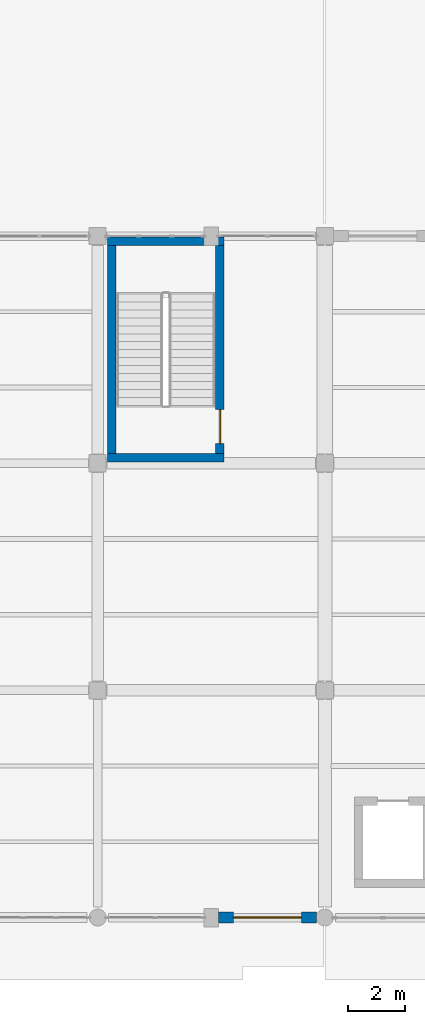
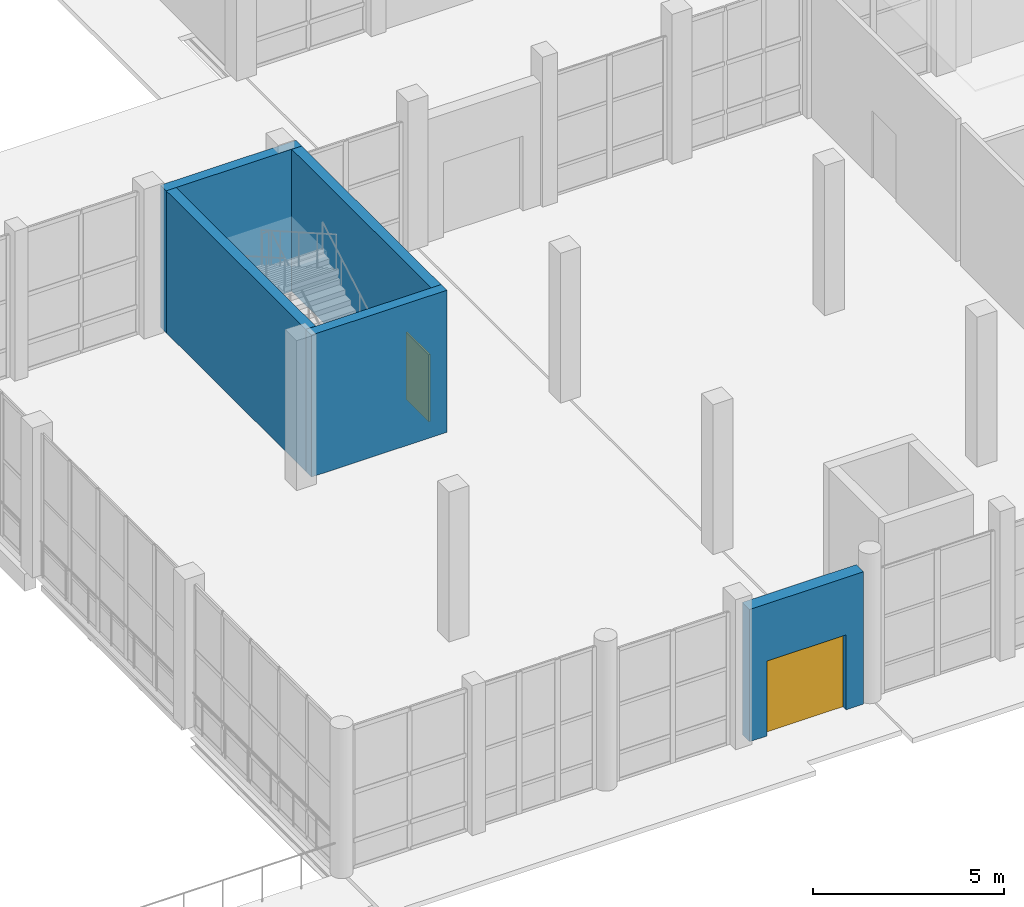
# One storey, part 122 of 156: 5 walls, 2 doors, 2 openings.
"""IFC4 building model written with IfcOpenShell, lengths in metres."""

from ifc_helpers import new_model, si_unit, direction, frame, frame_2d, origin, place, context, subcontext, project, spatial, rectangle, extrude, material, layer, layer_set, type_object, element, fill, save


model = new_model("IFC4")

# Units and contexts
model_context = context("Model", 3, precision=1e-05, world=origin(), true_north=direction((0.0, 1.0)))
body_context = subcontext(model_context, "Body", "Model", "MODEL_VIEW")
ifc_project = project(units=[si_unit("LENGTHUNIT", "METRE"), si_unit("AREAUNIT", "SQUARE_METRE"), si_unit("VOLUMEUNIT", "CUBIC_METRE"), si_unit("PLANEANGLEUNIT", "RADIAN"), si_unit("MASSUNIT", "GRAM", prefix="KILO")], contexts=[model_context])

# Site, building, storey
site_placement = place(None, origin())
site = spatial("IfcSite", under=ifc_project, at=site_placement, CompositionType="ELEMENT")
building_placement = place(site_placement, origin())
building = spatial("IfcBuilding", under=site, at=building_placement, Name="Luwemba Playhouse", CompositionType="ELEMENT")
storey_placement = place(building_placement, origin())
storey = spatial("IfcBuildingStorey", under=building, at=storey_placement, Name="L00", CompositionType="ELEMENT", Elevation=0.0)

# Wall, opening, door
ifc_material_1 = material(Name="Clay facing brick obra vista masonry", Category="masonry")
ifc_layer_1 = layer(ifc_material_1, 0.3798828125)
ifc_layer_set_1 = layer_set([ifc_layer_1], Name="Clay facing brick obra vista masonry")
wall_type_1 = type_object("IfcWallType", Name="WAL-BRK-380", PredefinedType="SOLIDWALL", material=ifc_layer_set_1)
wall_1_placement = place(storey_placement, frame((131.699951171875, 3.0, 0.0), z_axis=(0.0, 0.0, 1.0), x_axis=(-1.0, 0.0, 0.0)))
wall_1 = element("IfcWall", 1, at=wall_1_placement, inside=storey, type_object=wall_type_1, Name="L00 V5E exterior facade wall 0079", PredefinedType="SOLIDWALL", context=body_context, shape_type="SweptSolid", body=[
    extrude(rectangle(XDim=3.449951171875, YDim=0.3798828125, at=frame_2d((1.72509765625, 0.0))), origin(), (0.0, 0.0, 1.0), 4.235107421875),
])
opening_1_placement = place(wall_1_placement, frame((0.52490234375, 0.0, 0.0)))
opening_1 = element("IfcOpeningElement", 2, at=opening_1_placement, cuts=wall_1, Name="Opening E08", PredefinedType="OPENING", context=body_context, shape_type="SweptSolid", body=[
    extrude(rectangle(XDim=2.39990234375, YDim=2.39990234375, at=frame_2d((1.199951171875, 1.199951171875))), frame((0.0, 0.199951171875, 0.0), z_axis=(0.0, -1.0, 0.0), x_axis=(1.0, 0.0, 0.0)), (0.0, 0.0, 1.0), 0.39990234375),
])
ifc_material_2 = material(Name="Architectural bronze-anodised aluminium and glazed leaf", Category="aluminium")
door_type_1 = type_object("IfcDoorType", Name="DR-EXIT-240", OperationType="NOTDEFINED", PredefinedType="DOOR", material=ifc_material_2)
door_1_placement = place(opening_1_placement, origin())
door_1 = element("IfcDoor", 3, at=door_1_placement, inside=storey, type_object=door_type_1, Name="Civic Cafe south entrance E08", OperationType="DOUBLE_DOOR_SINGLE_SWING", OverallHeight=2.39990234375, OverallWidth=2.39990234375, PredefinedType="DOOR", context=body_context, shape_type="SweptSolid", body=[
    extrude(rectangle(XDim=2.39990234375, YDim=2.39990234375, at=frame_2d((1.199951171875, 1.199951171875))), frame((0.0, 0.02490234375, 0.0), z_axis=(0.0, -1.0, 0.0), x_axis=(1.0, 0.0, 0.0)), (0.0, 0.0, 1.0), 0.050048828125),
])
fill(opening_1, door_1)

# Walls
ifc_material_3 = material(Name="Concrete C40/50", Category="concrete")
ifc_layer_2 = layer(ifc_material_3, 0.300048828125)
ifc_layer_set_2 = layer_set([ifc_layer_2], Name="Concrete C40/50")
wall_type_2 = type_object("IfcWallType", Name="WAL-CORE-300", PredefinedType="SHEAR", material=ifc_layer_set_2)
for number, where, z_axis, x_axis, name in (
    (4, (124.35009765625, 19.18994140625, 0.0), (0.0, 0.0, 1.0), (1.0, 0.0, 0.0), "L00 ST-14 stair core wall S"),
    (5, (128.449951171875, 26.81005859375, 0.0), (0.0, 0.0, 1.0), (-1.0, 0.0, 0.0), "L00 ST-14 stair core wall N"),
):
    element("IfcWall", number, at=place(storey_placement, frame(where, z_axis=z_axis, x_axis=x_axis)), inside=storey, type_object=wall_type_2, Name=name, PredefinedType="SHEAR", context=body_context, shape_type="SweptSolid", body=[
        extrude(rectangle(XDim=4.099853515625, YDim=0.300048828125, at=frame_2d((2.0498046875, 0.0))), origin(), (0.0, 0.0, 1.0), 4.550048828125),
    ])
wall_2_placement = place(storey_placement, frame((124.5, 19.340087890625, 0.0), z_axis=(0.0, 0.0, 1.0), x_axis=(0.0, 1.0, 0.0)))
element("IfcWall", 6, at=wall_2_placement, inside=storey, type_object=wall_type_2, Name="L00 ST-14 stair core wall W", PredefinedType="SHEAR", context=body_context, shape_type="SweptSolid", body=[
    extrude(rectangle(XDim=7.31982421875, YDim=0.300048828125, at=frame_2d((3.659912109375, 0.0))), origin(), (0.0, 0.0, 1.0), 4.550048828125),
])

# Wall, opening, door
wall_3_placement = place(storey_placement, frame((128.300048828125, 26.659912109375, 0.0), z_axis=(0.0, 0.0, 1.0), x_axis=(0.0, -1.0, 0.0)))
wall_3 = element("IfcWall", 7, at=wall_3_placement, inside=storey, type_object=wall_type_2, Name="L00 ST-14 stair core wall E", PredefinedType="SHEAR", context=body_context, shape_type="SweptSolid", body=[
    extrude(rectangle(XDim=7.31982421875, YDim=0.300048828125, at=frame_2d((3.659912109375, 0.0))), origin(), (0.0, 0.0, 1.0), 4.550048828125),
])
opening_2_placement = place(wall_3_placement, frame((5.77001953125, 0.0, 0.0)))
opening_2 = element("IfcOpeningElement", 8, at=opening_2_placement, cuts=wall_3, Name="Opening D-STAIR3", PredefinedType="OPENING", context=body_context, shape_type="SweptSolid", body=[
    extrude(rectangle(XDim=1.199951171875, YDim=2.14990234375, at=frame_2d((0.60009765625, 1.074951171875))), frame((0.0, 0.159912109375, 0.0), z_axis=(0.0, -1.0, 0.0), x_axis=(1.0, 0.0, 0.0)), (0.0, 0.0, 1.0), 0.320068359375),
])
ifc_material_4 = material(Name="Hardwood acoustic fire door leaf", Category="wood")
door_type_2 = type_object("IfcDoorType", Name="DR-STAIR-120", OperationType="NOTDEFINED", PredefinedType="DOOR", material=ifc_material_4)
door_2_placement = place(opening_2_placement, origin())
door_2 = element("IfcDoor", 9, at=door_2_placement, inside=storey, type_object=door_type_2, Name="L00 ST-14 protected stair entry door", OperationType="SINGLE_SWING_LEFT", OverallHeight=2.14990234375, OverallWidth=1.199951171875, PredefinedType="DOOR", context=body_context, shape_type="SweptSolid", body=[
    extrude(rectangle(XDim=1.199951171875, YDim=2.14990234375, at=frame_2d((0.60009765625, 1.074951171875))), frame((0.0, 0.02490234375, 0.0), z_axis=(0.0, -1.0, 0.0), x_axis=(1.0, 0.0, 0.0)), (0.0, 0.0, 1.0), 0.050048828125),
])
fill(opening_2, door_2)

save(model, "model.ifc")
